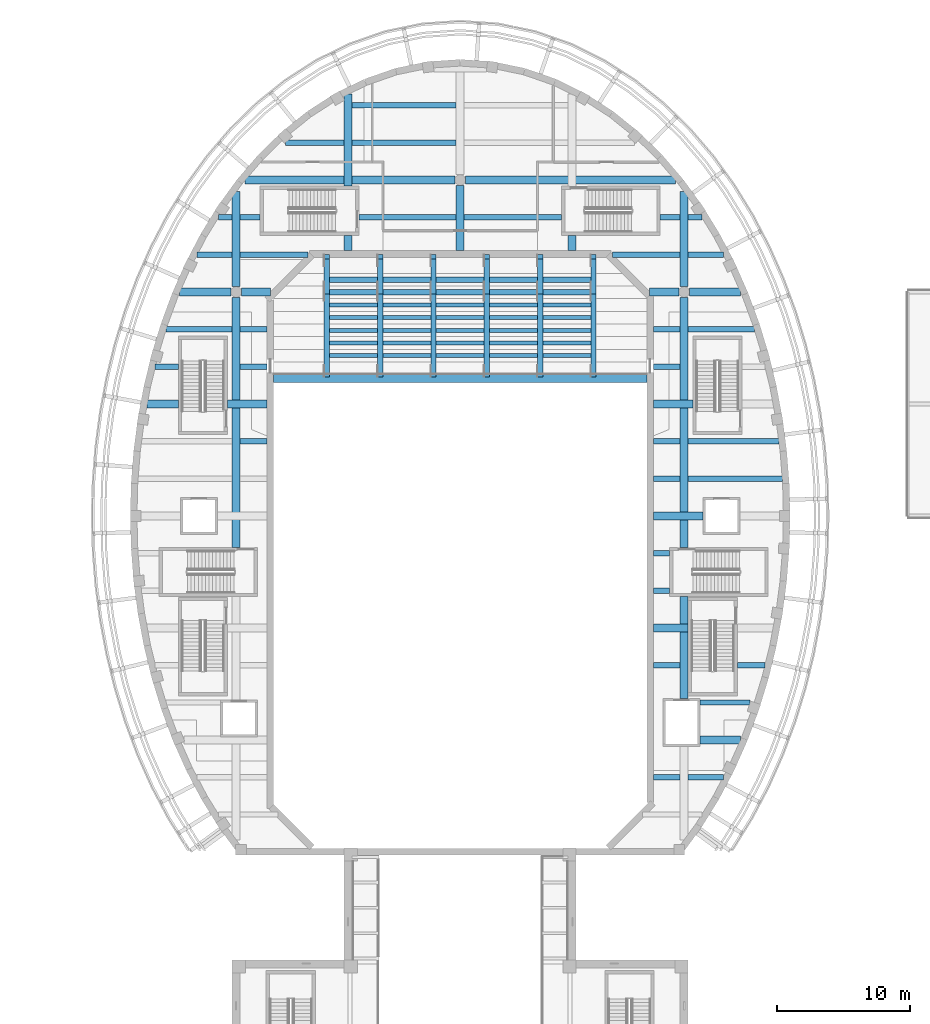
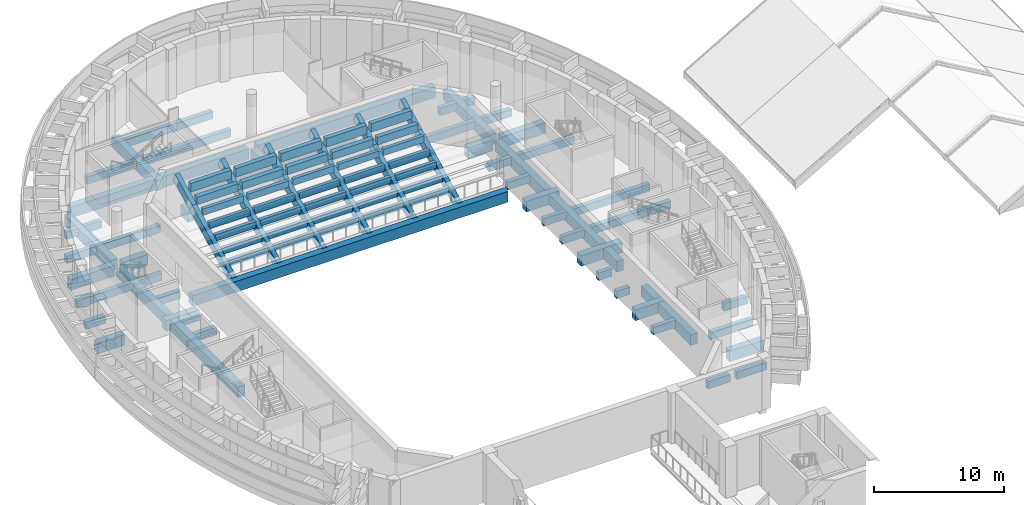
# One storey, part 3 of 37: 101 beams.
"""IFC4 building model written with IfcOpenShell, lengths in metres."""

from ifc_helpers import new_model, si_unit, direction, frame, origin, origin_2d, place, context, subcontext, project, spatial, rectangle, extrude, material, material_profile, profile_set, type_object, element, save


model = new_model("IFC4")

# Units and contexts
model_context = context("Model", 3, precision=1e-05, world=origin(), true_north=direction((0.0, 1.0)))
body_context = subcontext(model_context, "Body", "Model", "MODEL_VIEW")
ifc_project = project(units=[si_unit("LENGTHUNIT", "METRE"), si_unit("AREAUNIT", "SQUARE_METRE"), si_unit("VOLUMEUNIT", "CUBIC_METRE"), si_unit("PLANEANGLEUNIT", "RADIAN"), si_unit("MASSUNIT", "GRAM", prefix="KILO")], contexts=[model_context])

# Site, building, storey
site_placement = place(None, origin())
site = spatial("IfcSite", under=ifc_project, at=site_placement, CompositionType="ELEMENT")
building_placement = place(site_placement, origin())
building = spatial("IfcBuilding", under=site, at=building_placement, Name="Larchfold Concert Hall", CompositionType="ELEMENT")
storey_placement = place(building_placement, frame((0.0, 0.0, 19.199951171875)))
storey = spatial("IfcBuildingStorey", under=building, at=storey_placement, Name="L04", CompositionType="ELEMENT", Elevation=19.199951171875)

# Beams
ifc_material_1 = material(Name="Concrete C35/45", Category="concrete")
ifc_material_profile_1 = material_profile(ifc_material_1, rectangle(XDim=0.300048828125, YDim=0.60009765625, at=origin_2d()))
ifc_profile_set_1 = profile_set([ifc_material_profile_1], Name="Concrete C35/45")
beam_type_1 = type_object("IfcBeamType", Name="Beam RC 300x600", PredefinedType="BEAM", material=ifc_profile_set_1)
for number, where, z_axis, x_axis, name in (
    (1, (32.800048828125, 96.625, 0.1669921875), (1.0, 0.0, 0.0), (0.0, 1.0, 0.0), "Beam B1816"),
    (2, (36.800048828125, 96.625, 0.1669921875), (1.0, 0.0, 0.0), (0.0, 1.0, 0.0), "Beam B1817"),
    (3, (40.800048828125, 96.625, 0.1669921875), (1.0, 0.0, 0.0), (0.0, 1.0, 0.0), "Beam B1818"),
    (4, (44.800048828125, 96.625, 0.1669921875), (1.0, 0.0, 0.0), (0.0, 1.0, 0.0), "Beam B1819"),
    (5, (48.800048828125, 96.625, 0.1669921875), (1.0, 0.0, 0.0), (0.0, 1.0, 0.0), "Beam B1820"),
    (6, (32.800048828125, 97.5751953125, 0.733154296875), (1.0, 0.0, 0.0), (0.0, 1.0, 0.0), "Beam B1821"),
    (7, (36.800048828125, 97.5751953125, 0.733154296875), (1.0, 0.0, 0.0), (0.0, 1.0, 0.0), "Beam B1822"),
    (8, (40.800048828125, 97.5751953125, 0.733154296875), (1.0, 0.0, 0.0), (0.0, 1.0, 0.0), "Beam B1823"),
    (9, (44.800048828125, 97.5751953125, 0.733154296875), (1.0, 0.0, 0.0), (0.0, 1.0, 0.0), "Beam B1824"),
    (10, (48.800048828125, 97.5751953125, 0.733154296875), (1.0, 0.0, 0.0), (0.0, 1.0, 0.0), "Beam B1825"),
    (11, (32.800048828125, 98.52490234375, 1.428955078125), (1.0, 0.0, 0.0), (0.0, 1.0, 0.0), "Beam B1826"),
    (12, (36.800048828125, 98.52490234375, 1.428955078125), (1.0, 0.0, 0.0), (0.0, 1.0, 0.0), "Beam B1827"),
    (13, (40.800048828125, 98.52490234375, 1.428955078125), (1.0, 0.0, 0.0), (0.0, 1.0, 0.0), "Beam B1828"),
    (14, (44.800048828125, 98.52490234375, 1.428955078125), (1.0, 0.0, 0.0), (0.0, 1.0, 0.0), "Beam B1829"),
    (15, (48.800048828125, 98.52490234375, 1.428955078125), (1.0, 0.0, 0.0), (0.0, 1.0, 0.0), "Beam B1830"),
    (16, (32.800048828125, 99.47509765625, 1.9951171875), (1.0, 0.0, 0.0), (0.0, 1.0, 0.0), "Beam B1831"),
    (17, (36.800048828125, 99.47509765625, 1.9951171875), (1.0, 0.0, 0.0), (0.0, 1.0, 0.0), "Beam B1832"),
    (18, (40.800048828125, 99.47509765625, 1.9951171875), (1.0, 0.0, 0.0), (0.0, 1.0, 0.0), "Beam B1833"),
    (19, (44.800048828125, 99.47509765625, 1.9951171875), (1.0, 0.0, 0.0), (0.0, 1.0, 0.0), "Beam B1834"),
    (20, (48.800048828125, 99.47509765625, 1.9951171875), (1.0, 0.0, 0.0), (0.0, 1.0, 0.0), "Beam B1835"),
    (21, (32.800048828125, 100.4248046875, 2.699951171875), (1.0, 0.0, 0.0), (0.0, 1.0, 0.0), "Beam B1836"),
    (22, (36.800048828125, 100.4248046875, 2.699951171875), (1.0, 0.0, 0.0), (0.0, 1.0, 0.0), "Beam B1837"),
    (23, (40.800048828125, 100.4248046875, 2.699951171875), (1.0, 0.0, 0.0), (0.0, 1.0, 0.0), "Beam B1838"),
    (24, (44.800048828125, 100.4248046875, 2.699951171875), (1.0, 0.0, 0.0), (0.0, 1.0, 0.0), "Beam B1839"),
    (25, (48.800048828125, 100.4248046875, 2.699951171875), (1.0, 0.0, 0.0), (0.0, 1.0, 0.0), "Beam B1840"),
):
    element("IfcBeam", number, at=place(storey_placement, frame(where, z_axis=z_axis, x_axis=x_axis)), inside=storey, type_object=beam_type_1, Name=name, PredefinedType="BEAM", context=body_context, shape_type="SweptSolid", body=[
        extrude(rectangle(XDim=0.300048828125, YDim=0.60009765625, at=origin_2d()), origin(), (0.0, 0.0, 1.0), 3.599853515625),
    ])
ifc_material_2 = material(Name="Concrete C35/45", Category="concrete")
ifc_material_profile_2 = material_profile(ifc_material_2, rectangle(XDim=0.39990234375, YDim=0.699951171875, at=origin_2d()))
ifc_profile_set_2 = profile_set([ifc_material_profile_2], Name="Concrete C35/45")
beam_type_2 = type_object("IfcBeamType", Name="Beam RC 400x700", PredefinedType="BEAM", material=ifc_profile_set_2)
beam_1_placement = place(storey_placement, frame((57.110107421875, 65.0, -0.550048828125), z_axis=(1.0, 0.0, 0.0), x_axis=(0.0, 1.0, 0.0)))
element("IfcBeam", 26, at=beam_1_placement, inside=storey, type_object=beam_type_2, Name="Beam B1477", PredefinedType="BEAM", context=body_context, shape_type="SweptSolid", body=[
    extrude(rectangle(XDim=0.39990234375, YDim=0.699951171875, at=origin_2d()), origin(), (0.0, 0.0, 1.0), 1.989990234375),
])
beam_2_placement = place(storey_placement, frame((59.699951171875, 65.0, -0.550048828125), z_axis=(1.0, 0.0, 0.0), x_axis=(0.0, 1.0, 0.0)))
element("IfcBeam", 27, at=beam_2_placement, inside=storey, type_object=beam_type_2, Name="Beam B1478", PredefinedType="BEAM", context=body_context, shape_type="SweptSolid", body=[
    extrude(rectangle(XDim=0.39990234375, YDim=0.699951171875, at=origin_2d()), origin(), (0.0, 0.0, 1.0), 2.64013671875),
])
beam_3_placement = place(storey_placement, frame((60.60009765625, 70.60009765625, -0.550048828125), z_axis=(1.0, 0.0, 0.0), x_axis=(0.0, 1.0, 0.0)))
element("IfcBeam", 28, at=beam_3_placement, inside=storey, type_object=beam_type_2, Name="Beam B1480", PredefinedType="BEAM", context=body_context, shape_type="SweptSolid", body=[
    extrude(rectangle(XDim=0.39990234375, YDim=0.699951171875, at=origin_2d()), origin(), (0.0, 0.0, 1.0), 3.748779296875),
])
beam_4_placement = place(storey_placement, frame((57.110107421875, 73.39990234375, -0.550048828125), z_axis=(1.0, 0.0, 0.0), x_axis=(0.0, 1.0, 0.0)))
element("IfcBeam", 29, at=beam_4_placement, inside=storey, type_object=beam_type_2, Name="Beam B1483", PredefinedType="BEAM", context=body_context, shape_type="SweptSolid", body=[
    extrude(rectangle(XDim=0.39990234375, YDim=0.699951171875, at=origin_2d()), origin(), (0.0, 0.0, 1.0), 1.989990234375),
])
beam_5_placement = place(storey_placement, frame((63.39990234375, 73.39990234375, -0.550048828125), z_axis=(1.0, 0.0, 0.0), x_axis=(0.0, 1.0, 0.0)))
element("IfcBeam", 30, at=beam_5_placement, inside=storey, type_object=beam_type_2, Name="Beam B1484", PredefinedType="BEAM", context=body_context, shape_type="SweptSolid", body=[
    extrude(rectangle(XDim=0.39990234375, YDim=0.699951171875, at=origin_2d()), origin(), (0.0, 0.0, 1.0), 2.0791015625),
])
for number, where, z_axis, x_axis, name in (
    (31, (57.110107421875, 79.0, -0.550048828125), (1.0, 0.0, 0.0), (0.0, 1.0, 0.0), "Beam B1486"),
    (32, (57.110107421875, 81.800048828125, -0.550048828125), (1.0, 0.0, 0.0), (0.0, 1.0, 0.0), "Beam B1488"),
):
    element("IfcBeam", number, at=place(storey_placement, frame(where, z_axis=z_axis, x_axis=x_axis)), inside=storey, type_object=beam_type_2, Name=name, PredefinedType="BEAM", context=body_context, shape_type="SweptSolid", body=[
        extrude(rectangle(XDim=0.39990234375, YDim=0.699951171875, at=origin_2d()), origin(), (0.0, 0.0, 1.0), 1.18994140625),
    ])
beam_6_placement = place(storey_placement, frame((57.110107421875, 87.39990234375, -0.550048828125), z_axis=(1.0, 0.0, 0.0), x_axis=(0.0, 1.0, 0.0)))
element("IfcBeam", 33, at=beam_6_placement, inside=storey, type_object=beam_type_2, Name="Beam B1491", PredefinedType="BEAM", context=body_context, shape_type="SweptSolid", body=[
    extrude(rectangle(XDim=0.39990234375, YDim=0.699951171875, at=origin_2d()), origin(), (0.0, 0.0, 1.0), 1.989990234375),
])
beam_7_placement = place(storey_placement, frame((59.699951171875, 87.39990234375, -0.550048828125), z_axis=(1.0, 0.0, 0.0), x_axis=(0.0, 1.0, 0.0)))
element("IfcBeam", 34, at=beam_7_placement, inside=storey, type_object=beam_type_2, Name="Beam B1492", PredefinedType="BEAM", context=body_context, shape_type="SweptSolid", body=[
    extrude(rectangle(XDim=0.39990234375, YDim=0.699951171875, at=origin_2d()), origin(), (0.0, 0.0, 1.0), 7.078125),
])
for number, where, z_axis, x_axis, name in (
    (35, (26.10009765625, 90.199951171875, -0.550048828125), (1.0, 0.0, 0.0), (0.0, 1.0, 0.0), "Beam B1494"),
    (36, (57.110107421875, 90.199951171875, -0.550048828125), (1.0, 0.0, 0.0), (0.0, 1.0, 0.0), "Beam B1495"),
):
    element("IfcBeam", number, at=place(storey_placement, frame(where, z_axis=z_axis, x_axis=x_axis)), inside=storey, type_object=beam_type_2, Name=name, PredefinedType="BEAM", context=body_context, shape_type="SweptSolid", body=[
        extrude(rectangle(XDim=0.39990234375, YDim=0.699951171875, at=origin_2d()), origin(), (0.0, 0.0, 1.0), 1.989990234375),
    ])
beam_8_placement = place(storey_placement, frame((59.699951171875, 90.199951171875, -0.550048828125), z_axis=(1.0, 0.0, 0.0), x_axis=(0.0, 1.0, 0.0)))
element("IfcBeam", 37, at=beam_8_placement, inside=storey, type_object=beam_type_2, Name="Beam B1496", PredefinedType="BEAM", context=body_context, shape_type="SweptSolid", body=[
    extrude(rectangle(XDim=0.39990234375, YDim=0.699951171875, at=origin_2d()), origin(), (0.0, 0.0, 1.0), 6.81982421875),
])
beam_9_placement = place(storey_placement, frame((19.72021484375, 95.800048828125, -0.550048828125), z_axis=(1.0, 0.0, 0.0), x_axis=(0.0, 1.0, 0.0)))
element("IfcBeam", 38, at=beam_9_placement, inside=storey, type_object=beam_type_2, Name="Beam B1497", PredefinedType="BEAM", context=body_context, shape_type="SweptSolid", body=[
    extrude(rectangle(XDim=0.39990234375, YDim=0.699951171875, at=origin_2d()), origin(), (0.0, 0.0, 1.0), 1.729736328125),
])
for number, where, z_axis, x_axis, name in (
    (39, (26.10009765625, 95.800048828125, -0.550048828125), (1.0, 0.0, 0.0), (0.0, 1.0, 0.0), "Beam B1498"),
    (40, (57.110107421875, 95.800048828125, -0.550048828125), (1.0, 0.0, 0.0), (0.0, 1.0, 0.0), "Beam B1499"),
):
    element("IfcBeam", number, at=place(storey_placement, frame(where, z_axis=z_axis, x_axis=x_axis)), inside=storey, type_object=beam_type_2, Name=name, PredefinedType="BEAM", context=body_context, shape_type="SweptSolid", body=[
        extrude(rectangle(XDim=0.39990234375, YDim=0.699951171875, at=origin_2d()), origin(), (0.0, 0.0, 1.0), 1.989990234375),
    ])
beam_10_placement = place(storey_placement, frame((20.523681640625, 98.60009765625, -0.550048828125), z_axis=(1.0, 0.0, 0.0), x_axis=(0.0, 1.0, 0.0)))
element("IfcBeam", 41, at=beam_10_placement, inside=storey, type_object=beam_type_2, Name="Beam B1501", PredefinedType="BEAM", context=body_context, shape_type="SweptSolid", body=[
    extrude(rectangle(XDim=0.39990234375, YDim=0.699951171875, at=origin_2d()), origin(), (0.0, 0.0, 1.0), 4.976318359375),
])
for number, where, z_axis, x_axis, name in (
    (42, (26.10009765625, 98.60009765625, -0.550048828125), (1.0, 0.0, 0.0), (0.0, 1.0, 0.0), "Beam B1502"),
    (43, (57.110107421875, 98.60009765625, -0.550048828125), (1.0, 0.0, 0.0), (0.0, 1.0, 0.0), "Beam B1503"),
):
    element("IfcBeam", number, at=place(storey_placement, frame(where, z_axis=z_axis, x_axis=x_axis)), inside=storey, type_object=beam_type_2, Name=name, PredefinedType="BEAM", context=body_context, shape_type="SweptSolid", body=[
        extrude(rectangle(XDim=0.39990234375, YDim=0.699951171875, at=origin_2d()), origin(), (0.0, 0.0, 1.0), 1.989990234375),
    ])
beam_11_placement = place(storey_placement, frame((59.699951171875, 98.60009765625, -0.550048828125), z_axis=(1.0, 0.0, 0.0), x_axis=(0.0, 1.0, 0.0)))
element("IfcBeam", 44, at=beam_11_placement, inside=storey, type_object=beam_type_2, Name="Beam B1504", PredefinedType="BEAM", context=body_context, shape_type="SweptSolid", body=[
    extrude(rectangle(XDim=0.39990234375, YDim=0.699951171875, at=origin_2d()), origin(), (0.0, 0.0, 1.0), 4.9765625),
])
beam_12_placement = place(storey_placement, frame((22.86083984375, 104.199951171875, -0.550048828125), z_axis=(1.0, 0.0, 0.0), x_axis=(0.0, 1.0, 0.0)))
element("IfcBeam", 45, at=beam_12_placement, inside=storey, type_object=beam_type_2, Name="Beam B1505", PredefinedType="BEAM", context=body_context, shape_type="SweptSolid", body=[
    extrude(rectangle(XDim=0.39990234375, YDim=0.699951171875, at=origin_2d()), origin(), (0.0, 0.0, 1.0), 2.63916015625),
])
beam_13_placement = place(storey_placement, frame((26.10009765625, 104.199951171875, -0.550048828125), z_axis=(1.0, 0.0, 0.0), x_axis=(0.0, 1.0, 0.0)))
element("IfcBeam", 46, at=beam_13_placement, inside=storey, type_object=beam_type_2, Name="Beam B1506", PredefinedType="BEAM", context=body_context, shape_type="SweptSolid", body=[
    extrude(rectangle(XDim=0.39990234375, YDim=0.699951171875, at=origin_2d()), origin(), (0.0, 0.0, 1.0), 5.085693359375),
])
beam_14_placement = place(storey_placement, frame((54.01416015625, 104.199951171875, -0.550048828125), z_axis=(1.0, 0.0, 0.0), x_axis=(0.0, 1.0, 0.0)))
element("IfcBeam", 47, at=beam_14_placement, inside=storey, type_object=beam_type_2, Name="Beam B1507", PredefinedType="BEAM", context=body_context, shape_type="SweptSolid", body=[
    extrude(rectangle(XDim=0.39990234375, YDim=0.699951171875, at=origin_2d()), origin(), (0.0, 0.0, 1.0), 5.0859375),
])
beam_15_placement = place(storey_placement, frame((59.699951171875, 104.199951171875, -0.550048828125), z_axis=(1.0, 0.0, 0.0), x_axis=(0.0, 1.0, 0.0)))
element("IfcBeam", 48, at=beam_15_placement, inside=storey, type_object=beam_type_2, Name="Beam B1508", PredefinedType="BEAM", context=body_context, shape_type="SweptSolid", body=[
    extrude(rectangle(XDim=0.39990234375, YDim=0.699951171875, at=origin_2d()), origin(), (0.0, 0.0, 1.0), 2.639404296875),
])
beam_16_placement = place(storey_placement, frame((24.462158203125, 107.0, -0.550048828125), z_axis=(1.0, 0.0, 0.0), x_axis=(0.0, 1.0, 0.0)))
element("IfcBeam", 49, at=beam_16_placement, inside=storey, type_object=beam_type_2, Name="Beam B1509", PredefinedType="BEAM", context=body_context, shape_type="SweptSolid", body=[
    extrude(rectangle(XDim=0.39990234375, YDim=0.699951171875, at=origin_2d()), origin(), (0.0, 0.0, 1.0), 1.037841796875),
])
beam_17_placement = place(storey_placement, frame((26.10009765625, 107.0, -0.550048828125), z_axis=(1.0, 0.0, 0.0), x_axis=(0.0, 1.0, 0.0)))
element("IfcBeam", 50, at=beam_17_placement, inside=storey, type_object=beam_type_2, Name="Beam B1510", PredefinedType="BEAM", context=body_context, shape_type="SweptSolid", body=[
    extrude(rectangle(XDim=0.39990234375, YDim=0.699951171875, at=origin_2d()), origin(), (0.0, 0.0, 1.0), 1.5),
])
for number, where, z_axis, x_axis, name in (
    (51, (35.0, 107.0, -0.550048828125), (1.0, 0.0, 0.0), (0.0, 1.0, 0.0), "Beam B1511"),
    (52, (42.89990234375, 107.0, -0.550048828125), (1.0, 0.0, 0.0), (0.0, 1.0, 0.0), "Beam B1512"),
):
    element("IfcBeam", number, at=place(storey_placement, frame(where, z_axis=z_axis, x_axis=x_axis)), inside=storey, type_object=beam_type_2, Name=name, PredefinedType="BEAM", context=body_context, shape_type="SweptSolid", body=[
        extrude(rectangle(XDim=0.39990234375, YDim=0.699951171875, at=origin_2d()), origin(), (0.0, 0.0, 1.0), 7.300048828125),
    ])
beam_18_placement = place(storey_placement, frame((57.60009765625, 107.0, -0.550048828125), z_axis=(1.0, 0.0, 0.0), x_axis=(0.0, 1.0, 0.0)))
element("IfcBeam", 53, at=beam_18_placement, inside=storey, type_object=beam_type_2, Name="Beam B1513", PredefinedType="BEAM", context=body_context, shape_type="SweptSolid", body=[
    extrude(rectangle(XDim=0.39990234375, YDim=0.699951171875, at=origin_2d()), origin(), (0.0, 0.0, 1.0), 1.5),
])
beam_19_placement = place(storey_placement, frame((59.699951171875, 107.0, -0.550048828125), z_axis=(1.0, 0.0, 0.0), x_axis=(0.0, 1.0, 0.0)))
element("IfcBeam", 54, at=beam_19_placement, inside=storey, type_object=beam_type_2, Name="Beam B1514", PredefinedType="BEAM", context=body_context, shape_type="SweptSolid", body=[
    extrude(rectangle(XDim=0.39990234375, YDim=0.699951171875, at=origin_2d()), origin(), (0.0, 0.0, 1.0), 1.0380859375),
])
beam_20_placement = place(storey_placement, frame((29.50439453125, 112.60009765625, -0.550048828125), z_axis=(1.0, 0.0, 0.0), x_axis=(0.0, 1.0, 0.0)))
element("IfcBeam", 55, at=beam_20_placement, inside=storey, type_object=beam_type_2, Name="Beam B1515", PredefinedType="BEAM", context=body_context, shape_type="SweptSolid", body=[
    extrude(rectangle(XDim=0.39990234375, YDim=0.699951171875, at=origin_2d()), origin(), (0.0, 0.0, 1.0), 4.3955078125),
])
for number, where, z_axis, x_axis, name in (
    (56, (34.5, 112.60009765625, -0.550048828125), (1.0, 0.0, 0.0), (0.0, 1.0, 0.0), "Beam B1516"),
    (57, (34.5, 115.39990234375, -0.550048828125), (1.0, 0.0, 0.0), (0.0, 1.0, 0.0), "Beam B1519"),
):
    element("IfcBeam", number, at=place(storey_placement, frame(where, z_axis=z_axis, x_axis=x_axis)), inside=storey, type_object=beam_type_2, Name=name, PredefinedType="BEAM", context=body_context, shape_type="SweptSolid", body=[
        extrude(rectangle(XDim=0.39990234375, YDim=0.699951171875, at=origin_2d()), origin(), (0.0, 0.0, 1.0), 7.800048828125),
    ])
for number, where, z_axis, x_axis, name in (
    (58, (32.800048828125, 101.375, 3.215087890625), (1.0, 0.0, 0.0), (0.0, 1.0, 0.0), "Beam B1841"),
    (59, (36.800048828125, 101.375, 3.215087890625), (1.0, 0.0, 0.0), (0.0, 1.0, 0.0), "Beam B1842"),
    (60, (40.800048828125, 101.375, 3.215087890625), (1.0, 0.0, 0.0), (0.0, 1.0, 0.0), "Beam B1843"),
    (61, (44.800048828125, 101.375, 3.215087890625), (1.0, 0.0, 0.0), (0.0, 1.0, 0.0), "Beam B1844"),
    (62, (48.800048828125, 101.375, 3.215087890625), (1.0, 0.0, 0.0), (0.0, 1.0, 0.0), "Beam B1845"),
):
    element("IfcBeam", number, at=place(storey_placement, frame(where, z_axis=z_axis, x_axis=x_axis)), inside=storey, type_object=beam_type_2, Name=name, PredefinedType="BEAM", context=body_context, shape_type="SweptSolid", body=[
        extrude(rectangle(XDim=0.39990234375, YDim=0.699951171875, at=origin_2d()), origin(), (0.0, 0.0, 1.0), 3.599853515625),
    ])
ifc_material_3 = material(Name="Concrete C35/45", Category="concrete")
ifc_material_profile_3 = material_profile(ifc_material_3, rectangle(XDim=0.39990234375, YDim=0.800048828125, at=origin_2d()))
ifc_profile_set_3 = profile_set([ifc_material_profile_3], Name="Concrete C35/45")
beam_type_3 = type_object("IfcBeamType", Name="Beam RC 400x800", PredefinedType="BEAM", material=ifc_profile_set_3)
beam_21_placement = place(storey_placement, frame((32.60009765625, 95.199951171875, -0.619873046875), z_axis=(0.0, 0.891426616419, 0.453165077581), x_axis=(-1.0, 0.0, 0.0)))
element("IfcBeam", 63, at=beam_21_placement, inside=storey, type_object=beam_type_3, Name="Beam RK1804", PredefinedType="BEAM", context=body_context, shape_type="SweptSolid", body=[
    extrude(rectangle(XDim=0.39990234375, YDim=0.800048828125, at=origin_2d()), origin(), (0.0, 0.0, 1.0), 7.01123046875),
])
beam_22_placement = place(storey_placement, frame((32.60009765625, 101.449951171875, 2.557373046875), z_axis=(0.0, 0.891427540981, 0.453163258861), x_axis=(-1.0, 0.0, 0.0)))
element("IfcBeam", 64, at=beam_22_placement, inside=storey, type_object=beam_type_3, Name="Beam RK1805", PredefinedType="BEAM", context=body_context, shape_type="SweptSolid", body=[
    extrude(rectangle(XDim=0.39990234375, YDim=0.800048828125, at=origin_2d()), origin(), (0.0, 0.0, 1.0), 2.916748046875),
])
beam_23_placement = place(storey_placement, frame((36.60009765625, 95.199951171875, -0.619873046875), z_axis=(0.0, 0.891426616419, 0.453165077581), x_axis=(-1.0, 0.0, 0.0)))
element("IfcBeam", 65, at=beam_23_placement, inside=storey, type_object=beam_type_3, Name="Beam RK1806", PredefinedType="BEAM", context=body_context, shape_type="SweptSolid", body=[
    extrude(rectangle(XDim=0.39990234375, YDim=0.800048828125, at=origin_2d()), origin(), (0.0, 0.0, 1.0), 7.01123046875),
])
beam_24_placement = place(storey_placement, frame((36.60009765625, 101.449951171875, 2.557373046875), z_axis=(0.0, 0.891427540981, 0.453163258861), x_axis=(-1.0, 0.0, 0.0)))
element("IfcBeam", 66, at=beam_24_placement, inside=storey, type_object=beam_type_3, Name="Beam RK1807", PredefinedType="BEAM", context=body_context, shape_type="SweptSolid", body=[
    extrude(rectangle(XDim=0.39990234375, YDim=0.800048828125, at=origin_2d()), origin(), (0.0, 0.0, 1.0), 2.916748046875),
])
beam_25_placement = place(storey_placement, frame((40.60009765625, 95.199951171875, -0.619873046875), z_axis=(0.0, 0.891426616419, 0.453165077581), x_axis=(-1.0, 0.0, 0.0)))
element("IfcBeam", 67, at=beam_25_placement, inside=storey, type_object=beam_type_3, Name="Beam RK1808", PredefinedType="BEAM", context=body_context, shape_type="SweptSolid", body=[
    extrude(rectangle(XDim=0.39990234375, YDim=0.800048828125, at=origin_2d()), origin(), (0.0, 0.0, 1.0), 7.01123046875),
])
beam_26_placement = place(storey_placement, frame((40.60009765625, 101.449951171875, 2.557373046875), z_axis=(0.0, 0.891427540981, 0.453163258861), x_axis=(-1.0, 0.0, 0.0)))
element("IfcBeam", 68, at=beam_26_placement, inside=storey, type_object=beam_type_3, Name="Beam RK1809", PredefinedType="BEAM", context=body_context, shape_type="SweptSolid", body=[
    extrude(rectangle(XDim=0.39990234375, YDim=0.800048828125, at=origin_2d()), origin(), (0.0, 0.0, 1.0), 2.916748046875),
])
beam_27_placement = place(storey_placement, frame((44.60009765625, 95.199951171875, -0.619873046875), z_axis=(0.0, 0.891426616419, 0.453165077581), x_axis=(-1.0, 0.0, 0.0)))
element("IfcBeam", 69, at=beam_27_placement, inside=storey, type_object=beam_type_3, Name="Beam RK1810", PredefinedType="BEAM", context=body_context, shape_type="SweptSolid", body=[
    extrude(rectangle(XDim=0.39990234375, YDim=0.800048828125, at=origin_2d()), origin(), (0.0, 0.0, 1.0), 7.01123046875),
])
beam_28_placement = place(storey_placement, frame((44.60009765625, 101.449951171875, 2.557373046875), z_axis=(0.0, 0.891427540981, 0.453163258861), x_axis=(-1.0, 0.0, 0.0)))
element("IfcBeam", 70, at=beam_28_placement, inside=storey, type_object=beam_type_3, Name="Beam RK1811", PredefinedType="BEAM", context=body_context, shape_type="SweptSolid", body=[
    extrude(rectangle(XDim=0.39990234375, YDim=0.800048828125, at=origin_2d()), origin(), (0.0, 0.0, 1.0), 2.916748046875),
])
beam_29_placement = place(storey_placement, frame((48.60009765625, 95.199951171875, -0.619873046875), z_axis=(0.0, 0.891426616419, 0.453165077581), x_axis=(-1.0, 0.0, 0.0)))
element("IfcBeam", 71, at=beam_29_placement, inside=storey, type_object=beam_type_3, Name="Beam RK1812", PredefinedType="BEAM", context=body_context, shape_type="SweptSolid", body=[
    extrude(rectangle(XDim=0.39990234375, YDim=0.800048828125, at=origin_2d()), origin(), (0.0, 0.0, 1.0), 7.01123046875),
])
beam_30_placement = place(storey_placement, frame((48.60009765625, 101.449951171875, 2.557373046875), z_axis=(0.0, 0.891427540981, 0.453163258861), x_axis=(-1.0, 0.0, 0.0)))
element("IfcBeam", 72, at=beam_30_placement, inside=storey, type_object=beam_type_3, Name="Beam RK1813", PredefinedType="BEAM", context=body_context, shape_type="SweptSolid", body=[
    extrude(rectangle(XDim=0.39990234375, YDim=0.800048828125, at=origin_2d()), origin(), (0.0, 0.0, 1.0), 2.916748046875),
])
beam_31_placement = place(storey_placement, frame((52.60009765625, 95.199951171875, -0.619873046875), z_axis=(0.0, 0.891426616419, 0.453165077581), x_axis=(-1.0, 0.0, 0.0)))
element("IfcBeam", 73, at=beam_31_placement, inside=storey, type_object=beam_type_3, Name="Beam RK1814", PredefinedType="BEAM", context=body_context, shape_type="SweptSolid", body=[
    extrude(rectangle(XDim=0.39990234375, YDim=0.800048828125, at=origin_2d()), origin(), (0.0, 0.0, 1.0), 7.01123046875),
])
beam_32_placement = place(storey_placement, frame((52.60009765625, 101.449951171875, 2.557373046875), z_axis=(0.0, 0.891427540981, 0.453163258861), x_axis=(-1.0, 0.0, 0.0)))
element("IfcBeam", 74, at=beam_32_placement, inside=storey, type_object=beam_type_3, Name="Beam RK1815", PredefinedType="BEAM", context=body_context, shape_type="SweptSolid", body=[
    extrude(rectangle(XDim=0.39990234375, YDim=0.800048828125, at=origin_2d()), origin(), (0.0, 0.0, 1.0), 2.916748046875),
])
for number, where, z_axis, x_axis, name in (
    (75, (32.800048828125, 102.3251953125, 3.879150390625), (1.0, 0.0, 0.0), (0.0, 1.0, 0.0), "Beam B1846"),
    (76, (36.800048828125, 102.3251953125, 3.879150390625), (1.0, 0.0, 0.0), (0.0, 1.0, 0.0), "Beam B1847"),
    (77, (40.800048828125, 102.3251953125, 3.879150390625), (1.0, 0.0, 0.0), (0.0, 1.0, 0.0), "Beam B1848"),
    (78, (44.800048828125, 102.3251953125, 3.879150390625), (1.0, 0.0, 0.0), (0.0, 1.0, 0.0), "Beam B1849"),
    (79, (48.800048828125, 102.3251953125, 3.879150390625), (1.0, 0.0, 0.0), (0.0, 1.0, 0.0), "Beam B1850"),
):
    element("IfcBeam", number, at=place(storey_placement, frame(where, z_axis=z_axis, x_axis=x_axis)), inside=storey, type_object=beam_type_3, Name=name, PredefinedType="BEAM", context=body_context, shape_type="SweptSolid", body=[
        extrude(rectangle(XDim=0.39990234375, YDim=0.800048828125, at=origin_2d()), origin(), (0.0, 0.0, 1.0), 3.599853515625),
    ])
ifc_material_4 = material(Name="Concrete C35/45", Category="concrete")
ifc_material_profile_4 = material_profile(ifc_material_4, rectangle(XDim=0.60009765625, YDim=1.0, at=origin_2d()))
ifc_profile_set_4 = profile_set([ifc_material_profile_4], Name="Concrete C35/45")
beam_type_4 = type_object("IfcBeamType", Name="Beam RC 600x1000", PredefinedType="BEAM", material=ifc_profile_set_4)
beam_33_placement = place(storey_placement, frame((25.800048828125, 82.25, -0.699951171875), z_axis=(0.0, 1.0, 0.0), x_axis=(-1.0, 0.0, 0.0)))
element("IfcBeam", 80, at=beam_33_placement, inside=storey, type_object=beam_type_4, Name="Beam B1438", PredefinedType="BEAM", context=body_context, shape_type="SweptSolid", body=[
    extrude(rectangle(XDim=0.60009765625, YDim=1.0, at=origin_2d()), origin(), (0.0, 0.0, 1.0), 18.751708984375),
])
beam_34_placement = place(storey_placement, frame((25.800048828125, 101.79833984375, -0.699951171875), z_axis=(0.0, 1.0, 0.0), x_axis=(-1.0, 0.0, 0.0)))
element("IfcBeam", 81, at=beam_34_placement, inside=storey, type_object=beam_type_4, Name="Beam B1439", PredefinedType="BEAM", context=body_context, shape_type="SweptSolid", body=[
    extrude(rectangle(XDim=0.60009765625, YDim=1.0, at=origin_2d()), origin(), (0.0, 0.0, 1.0), 7.134521484375),
])
beam_35_placement = place(storey_placement, frame((34.199951171875, 104.510009765625, -0.699951171875), z_axis=(0.0, 1.0, 0.0), x_axis=(-1.0, 0.0, 0.0)))
element("IfcBeam", 82, at=beam_35_placement, inside=storey, type_object=beam_type_4, Name="Beam B1440", PredefinedType="BEAM", context=body_context, shape_type="SweptSolid", body=[
    extrude(rectangle(XDim=0.60009765625, YDim=1.0, at=origin_2d()), origin(), (0.0, 0.0, 1.0), 1.139892578125),
])
beam_36_placement = place(storey_placement, frame((34.199951171875, 109.35009765625, -0.699951171875), z_axis=(0.0, 1.0, 0.0), x_axis=(-1.0, 0.0, 0.0)))
element("IfcBeam", 83, at=beam_36_placement, inside=storey, type_object=beam_type_4, Name="Beam B1441", PredefinedType="BEAM", context=body_context, shape_type="SweptSolid", body=[
    extrude(rectangle(XDim=0.60009765625, YDim=1.0, at=origin_2d()), origin(), (0.0, 0.0, 1.0), 6.893798828125),
])
beam_37_placement = place(storey_placement, frame((42.60009765625, 104.510009765625, -0.699951171875), z_axis=(0.0, 1.0, 0.0), x_axis=(-1.0, 0.0, 0.0)))
element("IfcBeam", 84, at=beam_37_placement, inside=storey, type_object=beam_type_4, Name="Beam B1442", PredefinedType="BEAM", context=body_context, shape_type="SweptSolid", body=[
    extrude(rectangle(XDim=0.60009765625, YDim=1.0, at=origin_2d()), origin(), (0.0, 0.0, 1.0), 4.8916015625),
])
beam_38_placement = place(storey_placement, frame((51.0, 104.510009765625, -0.699951171875), z_axis=(0.0, 1.0, 0.0), x_axis=(-1.0, 0.0, 0.0)))
element("IfcBeam", 85, at=beam_38_placement, inside=storey, type_object=beam_type_4, Name="Beam B1444", PredefinedType="BEAM", context=body_context, shape_type="SweptSolid", body=[
    extrude(rectangle(XDim=0.60009765625, YDim=1.0, at=origin_2d()), origin(), (0.0, 0.0, 1.0), 1.139892578125),
])
beam_39_placement = place(storey_placement, frame((59.39990234375, 70.89990234375, -0.699951171875), z_axis=(0.0, 1.0, 0.0), x_axis=(-1.0, 0.0, 0.0)))
element("IfcBeam", 86, at=beam_39_placement, inside=storey, type_object=beam_type_4, Name="Beam B1447", PredefinedType="BEAM", context=body_context, shape_type="SweptSolid", body=[
    extrude(rectangle(XDim=0.60009765625, YDim=1.0, at=origin_2d()), origin(), (0.0, 0.0, 1.0), 7.650146484375),
])
beam_40_placement = place(storey_placement, frame((59.39990234375, 82.25, -0.699951171875), z_axis=(0.0, 1.0, 0.0), x_axis=(-1.0, 0.0, 0.0)))
element("IfcBeam", 87, at=beam_40_placement, inside=storey, type_object=beam_type_4, Name="Beam B1448", PredefinedType="BEAM", context=body_context, shape_type="SweptSolid", body=[
    extrude(rectangle(XDim=0.60009765625, YDim=1.0, at=origin_2d()), origin(), (0.0, 0.0, 1.0), 18.751708984375),
])
beam_41_placement = place(storey_placement, frame((59.39990234375, 101.79833984375, -0.699951171875), z_axis=(0.0, 1.0, 0.0), x_axis=(-1.0, 0.0, 0.0)))
element("IfcBeam", 88, at=beam_41_placement, inside=storey, type_object=beam_type_4, Name="Beam B1449", PredefinedType="BEAM", context=body_context, shape_type="SweptSolid", body=[
    extrude(rectangle(XDim=0.60009765625, YDim=1.0, at=origin_2d()), origin(), (0.0, 0.0, 1.0), 7.134765625),
])
beam_42_placement = place(storey_placement, frame((60.60009765625, 67.800048828125, -0.699951171875), z_axis=(1.0, 0.0, 0.0), x_axis=(0.0, 1.0, 0.0)))
element("IfcBeam", 89, at=beam_42_placement, inside=storey, type_object=beam_type_4, Name="Beam B1451", PredefinedType="BEAM", context=body_context, shape_type="SweptSolid", body=[
    extrude(rectangle(XDim=0.60009765625, YDim=1.0, at=origin_2d()), origin(), (0.0, 0.0, 1.0), 3.04638671875),
])
beam_43_placement = place(storey_placement, frame((57.110107421875, 76.199951171875, -0.699951171875), z_axis=(1.0, 0.0, 0.0), x_axis=(0.0, 1.0, 0.0)))
element("IfcBeam", 90, at=beam_43_placement, inside=storey, type_object=beam_type_4, Name="Beam B1454", PredefinedType="BEAM", context=body_context, shape_type="SweptSolid", body=[
    extrude(rectangle(XDim=0.60009765625, YDim=1.0, at=origin_2d()), origin(), (0.0, 0.0, 1.0), 2.58984375),
])
beam_44_placement = place(storey_placement, frame((57.110107421875, 84.60009765625, -0.699951171875), z_axis=(1.0, 0.0, 0.0), x_axis=(0.0, 1.0, 0.0)))
element("IfcBeam", 91, at=beam_44_placement, inside=storey, type_object=beam_type_4, Name="Beam B1458", PredefinedType="BEAM", context=body_context, shape_type="SweptSolid", body=[
    extrude(rectangle(XDim=0.60009765625, YDim=1.0, at=origin_2d()), origin(), (0.0, 0.0, 1.0), 3.68994140625),
])
beam_45_placement = place(storey_placement, frame((19.1103515625, 93.0, -0.699951171875), z_axis=(1.0, 0.0, 0.0), x_axis=(0.0, 1.0, 0.0)))
element("IfcBeam", 92, at=beam_45_placement, inside=storey, type_object=beam_type_4, Name="Beam B1460", PredefinedType="BEAM", context=body_context, shape_type="SweptSolid", body=[
    extrude(rectangle(XDim=0.60009765625, YDim=1.0, at=origin_2d()), origin(), (0.0, 0.0, 1.0), 2.339599609375),
])
beam_46_placement = place(storey_placement, frame((25.14990234375, 93.0, -0.699951171875), z_axis=(1.0, 0.0, 0.0), x_axis=(0.0, 1.0, 0.0)))
element("IfcBeam", 93, at=beam_46_placement, inside=storey, type_object=beam_type_4, Name="Beam B1461", PredefinedType="BEAM", context=body_context, shape_type="SweptSolid", body=[
    extrude(rectangle(XDim=0.60009765625, YDim=1.0, at=origin_2d()), origin(), (0.0, 0.0, 1.0), 2.940185546875),
])
beam_47_placement = place(storey_placement, frame((57.110107421875, 93.0, -0.699951171875), z_axis=(1.0, 0.0, 0.0), x_axis=(0.0, 1.0, 0.0)))
element("IfcBeam", 94, at=beam_47_placement, inside=storey, type_object=beam_type_4, Name="Beam B1462", PredefinedType="BEAM", context=body_context, shape_type="SweptSolid", body=[
    extrude(rectangle(XDim=0.60009765625, YDim=1.0, at=origin_2d()), origin(), (0.0, 0.0, 1.0), 2.93994140625),
])
beam_48_placement = place(storey_placement, frame((21.556884765625, 101.39990234375, -0.699951171875), z_axis=(1.0, 0.0, 0.0), x_axis=(0.0, 1.0, 0.0)))
element("IfcBeam", 95, at=beam_48_placement, inside=storey, type_object=beam_type_4, Name="Beam B1464", PredefinedType="BEAM", context=body_context, shape_type="SweptSolid", body=[
    extrude(rectangle(XDim=0.60009765625, YDim=1.0, at=origin_2d()), origin(), (0.0, 0.0, 1.0), 3.8447265625),
])
for number, where, z_axis, x_axis, name in (
    (96, (26.1982421875, 101.39990234375, -0.699951171875), (1.0, 0.0, 0.0), (0.0, 1.0, 0.0), "Beam B1465"),
    (97, (56.814208984375, 101.39990234375, -0.699951171875), (1.0, 0.0, 0.0), (0.0, 1.0, 0.0), "Beam B1466"),
):
    element("IfcBeam", number, at=place(storey_placement, frame(where, z_axis=z_axis, x_axis=x_axis)), inside=storey, type_object=beam_type_4, Name=name, PredefinedType="BEAM", context=body_context, shape_type="SweptSolid", body=[
        extrude(rectangle(XDim=0.60009765625, YDim=1.0, at=origin_2d()), origin(), (0.0, 0.0, 1.0), 2.1875),
    ])
beam_49_placement = place(storey_placement, frame((59.79833984375, 101.39990234375, -0.699951171875), z_axis=(1.0, 0.0, 0.0), x_axis=(0.0, 1.0, 0.0)))
element("IfcBeam", 98, at=beam_49_placement, inside=storey, type_object=beam_type_4, Name="Beam B1467", PredefinedType="BEAM", context=body_context, shape_type="SweptSolid", body=[
    extrude(rectangle(XDim=0.60009765625, YDim=1.0, at=origin_2d()), origin(), (0.0, 0.0, 1.0), 3.844970703125),
])
beam_50_placement = place(storey_placement, frame((26.464111328125, 109.800048828125, -0.699951171875), z_axis=(1.0, 0.0, 0.0), x_axis=(0.0, 1.0, 0.0)))
element("IfcBeam", 99, at=beam_50_placement, inside=storey, type_object=beam_type_4, Name="Beam B1468", PredefinedType="BEAM", context=body_context, shape_type="SweptSolid", body=[
    extrude(rectangle(XDim=0.60009765625, YDim=1.0, at=origin_2d()), origin(), (0.0, 0.0, 1.0), 15.737548828125),
])
beam_51_placement = place(storey_placement, frame((42.998291015625, 109.800048828125, -0.699951171875), z_axis=(1.0, 0.0, 0.0), x_axis=(0.0, 1.0, 0.0)))
element("IfcBeam", 100, at=beam_51_placement, inside=storey, type_object=beam_type_4, Name="Beam B1469", PredefinedType="BEAM", context=body_context, shape_type="SweptSolid", body=[
    extrude(rectangle(XDim=0.60009765625, YDim=1.0, at=origin_2d()), origin(), (0.0, 0.0, 1.0), 15.73779296875),
])
beam_52_placement = place(storey_placement, frame((28.60009765625, 94.89990234375, -0.719970703125), z_axis=(1.0, 0.0, 0.0), x_axis=(0.0, 1.0, 0.0)))
element("IfcBeam", 101, at=beam_52_placement, inside=storey, type_object=beam_type_4, Name="Beam BG94", PredefinedType="BEAM", context=body_context, shape_type="SweptSolid", body=[
    extrude(rectangle(XDim=0.60009765625, YDim=1.0, at=origin_2d()), origin(), (0.0, 0.0, 1.0), 28.0),
])

save(model, "model.ifc")
